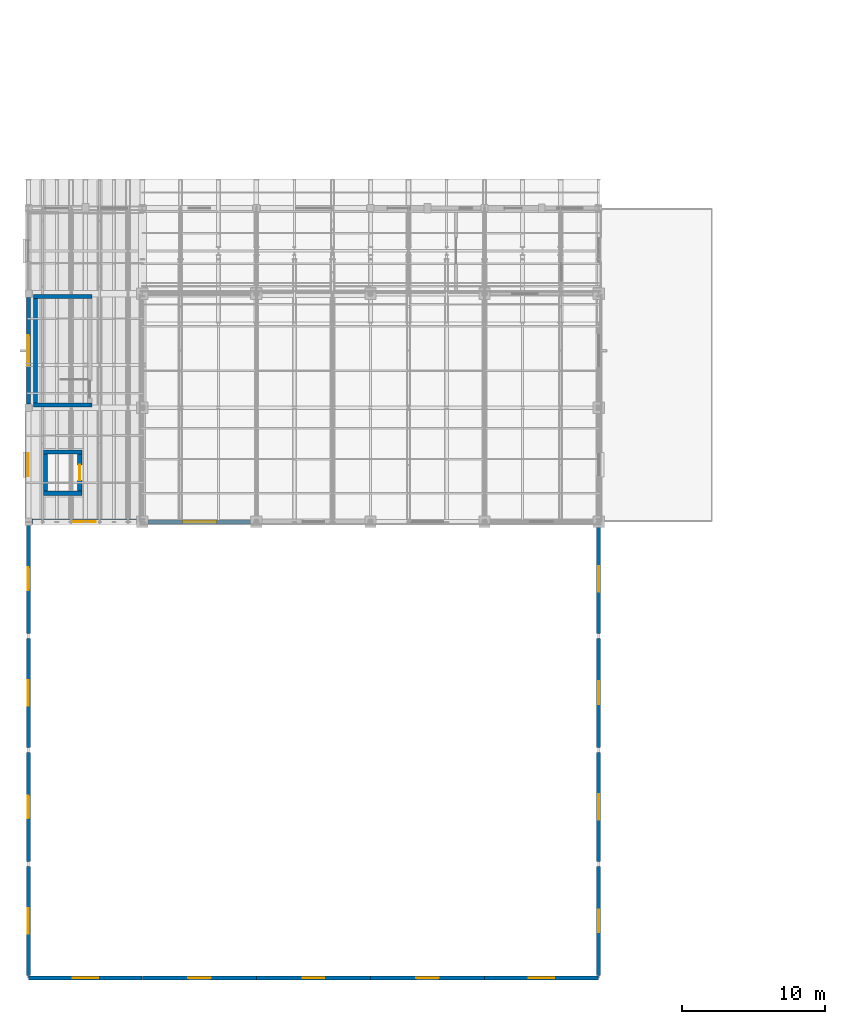
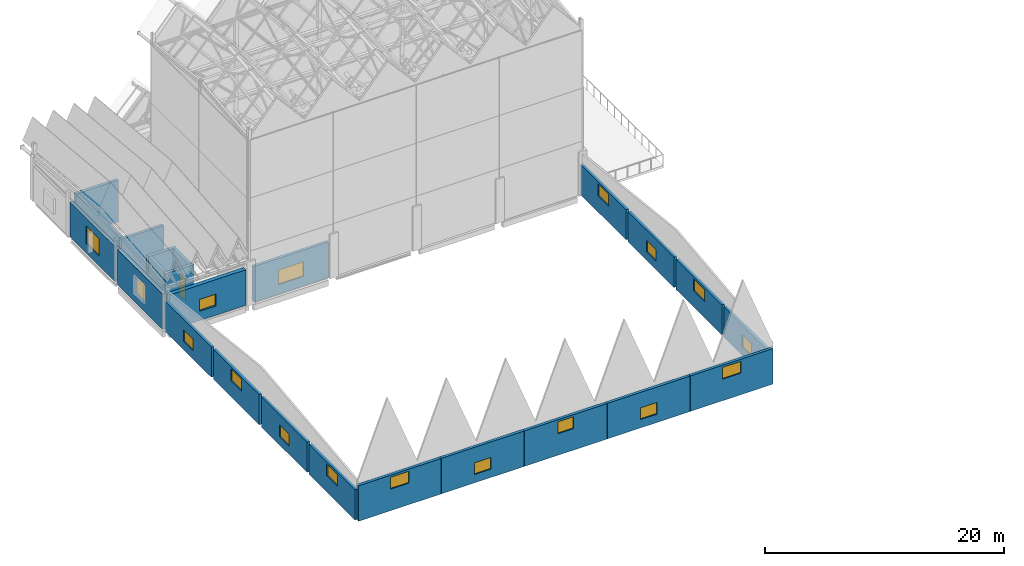
# One storey, part 30 of 48: 24 walls, 17 windows, 1 door, 18 openings.
"""IFC4 building model written with IfcOpenShell, lengths in metres."""

from ifc_helpers import new_model, si_unit, direction, frame, frame_2d, origin, place, context, subcontext, project, spatial, rectangle, extrude, material, layer, layer_set, type_object, element, fill, save


model = new_model("IFC4")

# Units and contexts
model_context = context("Model", 3, precision=1e-05, world=origin(), true_north=direction((0.0, 1.0)))
body_context = subcontext(model_context, "Body", "Model", "MODEL_VIEW")
ifc_project = project(units=[si_unit("LENGTHUNIT", "METRE"), si_unit("AREAUNIT", "SQUARE_METRE"), si_unit("VOLUMEUNIT", "CUBIC_METRE"), si_unit("PLANEANGLEUNIT", "RADIAN"), si_unit("MASSUNIT", "GRAM", prefix="KILO")], contexts=[model_context])

# Site, building, storey
site_placement = place(None, origin())
site = spatial("IfcSite", under=ifc_project, at=site_placement, CompositionType="ELEMENT")
building_placement = place(site_placement, origin())
building = spatial("IfcBuilding", under=site, at=building_placement, Name="Luwemba Playhouse", CompositionType="ELEMENT")
storey_placement = place(building_placement, frame((0.0, 0.0, 13.800048828125)))
storey = spatial("IfcBuildingStorey", under=building, at=storey_placement, Name="L03", CompositionType="ELEMENT", Elevation=13.800048828125)

# Wall, opening, window
ifc_material_1 = material(Name="Clay facing brick obra vista masonry", Category="masonry")
ifc_layer_1 = layer(ifc_material_1, 0.3798828125)
ifc_layer_set_1 = layer_set([ifc_layer_1], Name="Clay facing brick obra vista masonry")
wall_type_1 = type_object("IfcWallType", Name="WAL-BRK-380", PredefinedType="SOLIDWALL", material=ifc_layer_set_1)
wall_1_placement = place(storey_placement, frame((4.0, 68.25, 0.0), z_axis=(0.0, 0.0, 1.0), x_axis=(0.0, 1.0, 0.0)))
wall_1 = element("IfcWall", 1, at=wall_1_placement, inside=storey, type_object=wall_type_1, Name="L03 V2 exterior facade wall 0408", PredefinedType="SOLIDWALL", context=body_context, shape_type="SweptSolid", body=[
    extrude(rectangle(XDim=7.5, YDim=0.3798828125, at=frame_2d((3.75, 0.0))), origin(), (0.0, 0.0, 1.0), 3.5849609375),
])
opening_1_placement = place(wall_1_placement, frame((2.949951171875, 0.0, 0.949951171875)))
opening_1 = element("IfcOpeningElement", 2, at=opening_1_placement, cuts=wall_1, Name="Opening WN-03", PredefinedType="OPENING", context=body_context, shape_type="SweptSolid", body=[
    extrude(rectangle(XDim=1.60009765625, YDim=1.800048828125, at=frame_2d((0.800048828125, 0.89990234375))), frame((0.0, 0.199951171875, 0.0), z_axis=(0.0, -1.0, 0.0), x_axis=(1.0, 0.0, 0.0)), (0.0, 0.0, 1.0), 0.39990234375),
])
ifc_material_2 = material(Name="Solar-control double glazing in aluminium frame", Category="aluminium")
window_type_1 = type_object("IfcWindowType", Name="WIN-WN-03", PartitioningType="DOUBLE_PANEL_VERTICAL", PredefinedType="WINDOW", material=ifc_material_2)
window_1_placement = place(opening_1_placement, origin())
window_1 = element("IfcWindow", 3, at=window_1_placement, inside=storey, type_object=window_type_1, Name="L03 V2 scheduled window 0351", OverallHeight=1.800048828125, OverallWidth=1.60009765625, PartitioningType="DOUBLE_PANEL_VERTICAL", PredefinedType="WINDOW", context=body_context, shape_type="SweptSolid", body=[
    extrude(rectangle(XDim=1.60009765625, YDim=1.800048828125, at=frame_2d((0.800048828125, 0.89990234375))), frame((0.0, 0.030029296875, 0.0), z_axis=(0.0, -1.0, 0.0), x_axis=(1.0, 0.0, 0.0)), (0.0, 0.0, 1.0), 0.06005859375),
])
fill(opening_1, window_1)

wall_2_placement = place(storey_placement, frame((11.60009765625, 68.0, 0.0), z_axis=(0.0, 0.0, 1.0), x_axis=(-1.0, 0.0, 0.0)))
wall_2 = element("IfcWall", 4, at=wall_2_placement, inside=storey, type_object=wall_type_1, Name="L03 V2 exterior facade wall 0426", PredefinedType="SOLIDWALL", context=body_context, shape_type="SweptSolid", body=[
    extrude(rectangle(XDim=7.35009765625, YDim=0.3798828125, at=frame_2d((3.675048828125, 0.0))), origin(), (0.0, 0.0, 1.0), 3.625),
])
opening_2_placement = place(wall_2_placement, frame((2.875, 0.0, 0.949951171875)))
opening_2 = element("IfcOpeningElement", 5, at=opening_2_placement, cuts=wall_2, Name="Opening WN-15", PredefinedType="OPENING", context=body_context, shape_type="SweptSolid", body=[
    extrude(rectangle(XDim=1.60009765625, YDim=1.199951171875, at=frame_2d((0.800048828125, 0.60009765625))), frame((0.0, 0.199951171875, 0.0), z_axis=(0.0, -1.0, 0.0), x_axis=(1.0, 0.0, 0.0)), (0.0, 0.0, 1.0), 0.39990234375),
])
window_type_2 = type_object("IfcWindowType", Name="WIN-WN-15", PartitioningType="DOUBLE_PANEL_HORIZONTAL", PredefinedType="WINDOW", material=ifc_material_2)
window_2_placement = place(opening_2_placement, origin())
window_2 = element("IfcWindow", 6, at=window_2_placement, inside=storey, type_object=window_type_2, Name="L03 V2 scheduled window 0368", OverallHeight=1.199951171875, OverallWidth=1.60009765625, PartitioningType="DOUBLE_PANEL_HORIZONTAL", PredefinedType="WINDOW", context=body_context, shape_type="SweptSolid", body=[
    extrude(rectangle(XDim=1.60009765625, YDim=1.199951171875, at=frame_2d((0.800048828125, 0.60009765625))), frame((0.0, 0.030029296875, 0.0), z_axis=(0.0, -1.0, 0.0), x_axis=(1.0, 0.0, 0.0)), (0.0, 0.0, 1.0), 0.06005859375),
])
fill(opening_2, window_2)

# Walls
ifc_material_3 = material(Name="Concrete C40/50", Category="concrete")
ifc_layer_2 = layer(ifc_material_3, 0.300048828125)
ifc_layer_set_2 = layer_set([ifc_layer_2], Name="Concrete C40/50")
wall_type_2 = type_object("IfcWallType", Name="WAL-CORE-300", PredefinedType="SHEAR", material=ifc_layer_set_2)
for number, where, z_axis, x_axis, name in (
    (7, (4.35009765625, 76.18994140625, 0.0), (0.0, 0.0, 1.0), (1.0, 0.0, 0.0), "L03 ST-03 stair core wall S"),
    (8, (8.449951171875, 83.81005859375, 0.0), (0.0, 0.0, 1.0), (-1.0, 0.0, 0.0), "L03 ST-03 stair core wall N"),
):
    element("IfcWall", number, at=place(storey_placement, frame(where, z_axis=z_axis, x_axis=x_axis)), inside=storey, type_object=wall_type_2, Name=name, PredefinedType="SHEAR", context=body_context, shape_type="SweptSolid", body=[
        extrude(rectangle(XDim=4.099853515625, YDim=0.300048828125, at=frame_2d((2.0498046875, 0.0))), origin(), (0.0, 0.0, 1.0), 4.25),
    ])
wall_3_placement = place(storey_placement, frame((4.5, 76.340087890625, 0.0), z_axis=(0.0, 0.0, 1.0), x_axis=(0.0, 1.0, 0.0)))
element("IfcWall", 9, at=wall_3_placement, inside=storey, type_object=wall_type_2, Name="L03 ST-03 stair core wall W", PredefinedType="SHEAR", context=body_context, shape_type="SweptSolid", body=[
    extrude(rectangle(XDim=7.31982421875, YDim=0.300048828125, at=frame_2d((3.659912109375, 0.0))), origin(), (0.0, 0.0, 1.0), 4.25),
])
for number, where, z_axis, x_axis, name in (
    (10, (5.050048828125, 70.0, 0.0), (0.0, 0.0, 1.0), (1.0, 0.0, 0.0), "L03 Lift LF-P2 shaft wall S"),
    (11, (7.75, 72.89990234375, 0.0), (0.0, 0.0, 1.0), (-1.0, 0.0, 0.0), "L03 Lift LF-P2 shaft wall N"),
):
    element("IfcWall", number, at=place(storey_placement, frame(where, z_axis=z_axis, x_axis=x_axis)), inside=storey, type_object=wall_type_2, Name=name, PredefinedType="SHEAR", context=body_context, shape_type="SweptSolid", body=[
        extrude(rectangle(XDim=2.699951171875, YDim=0.300048828125, at=frame_2d((1.35009765625, 0.0))), origin(), (0.0, 0.0, 1.0), 4.25),
    ])
wall_4_placement = place(storey_placement, frame((5.199951171875, 70.14990234375, 0.0), z_axis=(0.0, 0.0, 1.0), x_axis=(0.0, 1.0, 0.0)))
element("IfcWall", 12, at=wall_4_placement, inside=storey, type_object=wall_type_2, Name="L03 Lift LF-P2 shaft wall W", PredefinedType="SHEAR", context=body_context, shape_type="SweptSolid", body=[
    extrude(rectangle(XDim=2.60009765625, YDim=0.300048828125, at=frame_2d((1.300048828125, 0.0))), origin(), (0.0, 0.0, 1.0), 4.25),
])

# Wall, opening, door
wall_5_placement = place(storey_placement, frame((7.60009765625, 72.75, 0.0), z_axis=(0.0, 0.0, 1.0), x_axis=(0.0, -1.0, 0.0)))
wall_5 = element("IfcWall", 13, at=wall_5_placement, inside=storey, type_object=wall_type_2, Name="L03 Lift LF-P2 shaft wall E", PredefinedType="SHEAR", context=body_context, shape_type="SweptSolid", body=[
    extrude(rectangle(XDim=2.60009765625, YDim=0.300048828125, at=frame_2d((1.300048828125, 0.0))), origin(), (0.0, 0.0, 1.0), 4.25),
])
opening_3_placement = place(wall_5_placement, frame((0.75, 0.0, 0.0)))
opening_3 = element("IfcOpeningElement", 14, at=opening_3_placement, cuts=wall_5, Name="Opening LD-01", PredefinedType="OPENING", context=body_context, shape_type="SweptSolid", body=[
    extrude(rectangle(XDim=1.10009765625, YDim=2.14990234375, at=frame_2d((0.550048828125, 1.074951171875))), frame((0.0, 0.159912109375, 0.0), z_axis=(0.0, -1.0, 0.0), x_axis=(1.0, 0.0, 0.0)), (0.0, 0.0, 1.0), 0.320068359375),
])
ifc_material_4 = material(Name="Stainless steel lift landing doors", Category="steel")
door_type = type_object("IfcDoorType", Name="DR-LIFT-110", OperationType="NOTDEFINED", PredefinedType="DOOR", material=ifc_material_4)
door_placement = place(opening_3_placement, origin())
door = element("IfcDoor", 15, at=door_placement, inside=storey, type_object=door_type, Name="L03 Lift LF-P2 landing door", OperationType="DOUBLE_DOOR_SLIDING", OverallHeight=2.14990234375, OverallWidth=1.10009765625, PredefinedType="DOOR", context=body_context, shape_type="SweptSolid", body=[
    extrude(rectangle(XDim=1.10009765625, YDim=2.14990234375, at=frame_2d((0.550048828125, 1.074951171875))), frame((0.0, 0.02490234375, 0.0), z_axis=(0.0, -1.0, 0.0), x_axis=(1.0, 0.0, 0.0)), (0.0, 0.0, 1.0), 0.050048828125),
])
fill(opening_3, door)

# Wall, opening, window
ifc_material_5 = material(Name="Structural timber GL24h infill", Category="wood")
ifc_layer_3 = layer(ifc_material_5, 0.280029296875)
ifc_layer_set_3 = layer_set([ifc_layer_3], Name="Structural timber GL24h infill")
wall_type_3 = type_object("IfcWallType", Name="WAL-TIM-280", PredefinedType="SOLIDWALL", material=ifc_layer_set_3)
wall_6_placement = place(storey_placement, frame((4.0, 76.25, 0.0), z_axis=(0.0, 0.0, 1.0), x_axis=(0.0, 1.0, 0.0)))
wall_6 = element("IfcWall", 16, at=wall_6_placement, inside=storey, type_object=wall_type_3, Name="L03 V2 exterior facade wall 0409", PredefinedType="SOLIDWALL", context=body_context, shape_type="SweptSolid", body=[
    extrude(rectangle(XDim=7.5, YDim=0.280029296875, at=frame_2d((3.75, 0.0))), origin(), (0.0, 0.0, 1.0), 3.5849609375),
])
opening_4_placement = place(wall_6_placement, frame((2.64990234375, 0.0, 0.949951171875)))
opening_4 = element("IfcOpeningElement", 17, at=opening_4_placement, cuts=wall_6, Name="Opening WN-06", PredefinedType="OPENING", context=body_context, shape_type="SweptSolid", body=[
    extrude(rectangle(XDim=2.199951171875, YDim=1.800048828125, at=frame_2d((1.10009765625, 0.89990234375))), frame((0.0, 0.14990234375, 0.0), z_axis=(0.0, -1.0, 0.0), x_axis=(1.0, 0.0, 0.0)), (0.0, 0.0, 1.0), 0.300048828125),
])
window_type_3 = type_object("IfcWindowType", Name="WIN-WN-06", PartitioningType="TRIPLE_PANEL_VERTICAL", PredefinedType="WINDOW", material=ifc_material_2)
window_3_placement = place(opening_4_placement, origin())
window_3 = element("IfcWindow", 18, at=window_3_placement, inside=storey, type_object=window_type_3, Name="L03 V2 scheduled window 0352", OverallHeight=1.800048828125, OverallWidth=2.199951171875, PartitioningType="TRIPLE_PANEL_VERTICAL", PredefinedType="WINDOW", context=body_context, shape_type="SweptSolid", body=[
    extrude(rectangle(XDim=2.199951171875, YDim=1.800048828125, at=frame_2d((1.10009765625, 0.89990234375))), frame((0.0, 0.030029296875, 0.0), z_axis=(0.0, -1.0, 0.0), x_axis=(1.0, 0.0, 0.0)), (0.0, 0.0, 1.0), 0.06005859375),
])
fill(opening_4, window_3)

wall_7_placement = place(storey_placement, frame((19.60009765625, 68.0, 0.0), z_axis=(0.0, 0.0, 1.0), x_axis=(-1.0, 0.0, 0.0)))
wall_7 = element("IfcWall", 19, at=wall_7_placement, inside=storey, type_object=wall_type_3, Name="L03 V2 exterior facade wall 0425", PredefinedType="SOLIDWALL", context=body_context, shape_type="SweptSolid", body=[
    extrude(rectangle(XDim=7.2001953125, YDim=0.280029296875, at=frame_2d((3.60009765625, 0.0))), origin(), (0.0, 0.0, 1.0), 3.625),
])
opening_5_placement = place(wall_7_placement, frame((2.39990234375, 0.0, 0.949951171875)))
opening_5 = element("IfcOpeningElement", 20, at=opening_5_placement, cuts=wall_7, Name="Opening WN-12", PredefinedType="OPENING", context=body_context, shape_type="SweptSolid", body=[
    extrude(rectangle(XDim=2.39990234375, YDim=1.5, at=frame_2d((1.199951171875, 0.75))), frame((0.0, 0.14990234375, 0.0), z_axis=(0.0, -1.0, 0.0), x_axis=(1.0, 0.0, 0.0)), (0.0, 0.0, 1.0), 0.300048828125),
])
window_type_4 = type_object("IfcWindowType", Name="WIN-WN-12", PartitioningType="TRIPLE_PANEL_VERTICAL", PredefinedType="WINDOW", material=ifc_material_2)
window_4_placement = place(opening_5_placement, origin())
window_4 = element("IfcWindow", 21, at=window_4_placement, inside=storey, type_object=window_type_4, Name="L03 V2 scheduled window 0367", OverallHeight=1.5, OverallWidth=2.39990234375, PartitioningType="TRIPLE_PANEL_VERTICAL", PredefinedType="WINDOW", context=body_context, shape_type="SweptSolid", body=[
    extrude(rectangle(XDim=2.39990234375, YDim=1.5, at=frame_2d((1.199951171875, 0.75))), frame((0.0, 0.030029296875, 0.0), z_axis=(0.0, -1.0, 0.0), x_axis=(1.0, 0.0, 0.0)), (0.0, 0.0, 1.0), 0.06005859375),
])
fill(opening_5, window_4)

wall_8_placement = place(storey_placement, frame((4.0, 36.175048828125, 0.0), z_axis=(0.0, 0.0, 1.0), x_axis=(0.0, 1.0, 0.0)))
wall_8 = element("IfcWall", 22, at=wall_8_placement, inside=storey, type_object=wall_type_3, Name="L03 V1 auditorium timber clerestory wall 0520", PredefinedType="SOLIDWALL", context=body_context, shape_type="SweptSolid", body=[
    extrude(rectangle(XDim=7.64990234375, YDim=0.280029296875, at=frame_2d((3.824951171875, 0.0))), origin(), (0.0, 0.0, 1.0), 3.079833984375),
])
opening_6_placement = place(wall_8_placement, frame((2.925048828125, 0.0, 1.659912109375)))
opening_6 = element("IfcOpeningElement", 23, at=opening_6_placement, cuts=wall_8, Name="Opening SKY-01", PredefinedType="OPENING", context=body_context, shape_type="SweptSolid", body=[
    extrude(rectangle(XDim=1.800048828125, YDim=1.199951171875, at=frame_2d((0.89990234375, 0.60009765625))), frame((0.0, 0.14990234375, 0.0), z_axis=(0.0, -1.0, 0.0), x_axis=(1.0, 0.0, 0.0)), (0.0, 0.0, 1.0), 0.300048828125),
])
ifc_material_6 = material(Name="Solar-control laminated skylight glazing", Category="glass")
window_type_5 = type_object("IfcWindowType", Name="WIN-SKY-01", PartitioningType="SINGLE_PANEL", PredefinedType="SKYLIGHT", material=ifc_material_6)
window_5_placement = place(opening_6_placement, origin())
window_5 = element("IfcWindow", 24, at=window_5_placement, inside=storey, type_object=window_type_5, Name="L03 clerestory roof skylight smoke vent 01", OverallHeight=1.199951171875, OverallWidth=1.800048828125, PartitioningType="SINGLE_PANEL", PredefinedType="SKYLIGHT", context=body_context, shape_type="SweptSolid", body=[
    extrude(rectangle(XDim=1.800048828125, YDim=1.199951171875, at=frame_2d((0.89990234375, 0.60009765625))), frame((0.0, 0.030029296875, 0.0), z_axis=(0.0, -1.0, 0.0), x_axis=(1.0, 0.0, 0.0)), (0.0, 0.0, 1.0), 0.06005859375),
])
fill(opening_6, window_5)

wall_9_placement = place(storey_placement, frame((4.0, 44.175048828125, 0.0), z_axis=(0.0, 0.0, 1.0), x_axis=(0.0, 1.0, 0.0)))
wall_9 = element("IfcWall", 25, at=wall_9_placement, inside=storey, type_object=wall_type_3, Name="L03 V1 auditorium timber clerestory wall 0521", PredefinedType="SOLIDWALL", context=body_context, shape_type="SweptSolid", body=[
    extrude(rectangle(XDim=7.64990234375, YDim=0.280029296875, at=frame_2d((3.824951171875, 0.0))), origin(), (0.0, 0.0, 1.0), 3.079833984375),
])
opening_7_placement = place(wall_9_placement, frame((3.02490234375, 0.0, 0.85009765625)))
opening_7 = element("IfcOpeningElement", 26, at=opening_7_placement, cuts=wall_9, Name="Opening WN-15", PredefinedType="OPENING", context=body_context, shape_type="SweptSolid", body=[
    extrude(rectangle(XDim=1.60009765625, YDim=1.199951171875, at=frame_2d((0.800048828125, 0.60009765625))), frame((0.0, 0.14990234375, 0.0), z_axis=(0.0, -1.0, 0.0), x_axis=(1.0, 0.0, 0.0)), (0.0, 0.0, 1.0), 0.300048828125),
])
window_6_placement = place(opening_7_placement, origin())
window_6 = element("IfcWindow", 27, at=window_6_placement, inside=storey, type_object=window_type_2, Name="L03 V1 auditorium clerestory window 0458", OverallHeight=1.199951171875, OverallWidth=1.60009765625, PartitioningType="DOUBLE_PANEL_HORIZONTAL", PredefinedType="WINDOW", context=body_context, shape_type="SweptSolid", body=[
    extrude(rectangle(XDim=1.60009765625, YDim=1.199951171875, at=frame_2d((0.800048828125, 0.60009765625))), frame((0.0, 0.030029296875, 0.0), z_axis=(0.0, -1.0, 0.0), x_axis=(1.0, 0.0, 0.0)), (0.0, 0.0, 1.0), 0.06005859375),
])
fill(opening_7, window_6)

wall_10_placement = place(storey_placement, frame((4.0, 52.175048828125, 0.0), z_axis=(0.0, 0.0, 1.0), x_axis=(0.0, 1.0, 0.0)))
wall_10 = element("IfcWall", 28, at=wall_10_placement, inside=storey, type_object=wall_type_3, Name="L03 V1 auditorium timber clerestory wall 0522", PredefinedType="SOLIDWALL", context=body_context, shape_type="SweptSolid", body=[
    extrude(rectangle(XDim=7.64990234375, YDim=0.280029296875, at=frame_2d((3.824951171875, 0.0))), origin(), (0.0, 0.0, 1.0), 3.079833984375),
])
opening_8_placement = place(wall_10_placement, frame((2.925048828125, 0.0, 1.659912109375)))
opening_8 = element("IfcOpeningElement", 29, at=opening_8_placement, cuts=wall_10, Name="Opening SKY-02", PredefinedType="OPENING", context=body_context, shape_type="SweptSolid", body=[
    extrude(rectangle(XDim=1.800048828125, YDim=1.199951171875, at=frame_2d((0.89990234375, 0.60009765625))), frame((0.0, 0.14990234375, 0.0), z_axis=(0.0, -1.0, 0.0), x_axis=(1.0, 0.0, 0.0)), (0.0, 0.0, 1.0), 0.300048828125),
])
window_type_6 = type_object("IfcWindowType", Name="WIN-SKY-02", PartitioningType="SINGLE_PANEL", PredefinedType="SKYLIGHT", material=ifc_material_6)
window_7_placement = place(opening_8_placement, origin())
window_7 = element("IfcWindow", 30, at=window_7_placement, inside=storey, type_object=window_type_6, Name="L03 clerestory roof skylight smoke vent 02", OverallHeight=1.199951171875, OverallWidth=1.800048828125, PartitioningType="SINGLE_PANEL", PredefinedType="SKYLIGHT", context=body_context, shape_type="SweptSolid", body=[
    extrude(rectangle(XDim=1.800048828125, YDim=1.199951171875, at=frame_2d((0.89990234375, 0.60009765625))), frame((0.0, 0.030029296875, 0.0), z_axis=(0.0, -1.0, 0.0), x_axis=(1.0, 0.0, 0.0)), (0.0, 0.0, 1.0), 0.06005859375),
])
fill(opening_8, window_7)

wall_11_placement = place(storey_placement, frame((4.0, 60.175048828125, 0.0), z_axis=(0.0, 0.0, 1.0), x_axis=(0.0, 1.0, 0.0)))
wall_11 = element("IfcWall", 31, at=wall_11_placement, inside=storey, type_object=wall_type_3, Name="L03 V1 auditorium timber clerestory wall 0523", PredefinedType="SOLIDWALL", context=body_context, shape_type="SweptSolid", body=[
    extrude(rectangle(XDim=7.64990234375, YDim=0.280029296875, at=frame_2d((3.824951171875, 0.0))), origin(), (0.0, 0.0, 1.0), 3.079833984375),
])
opening_9_placement = place(wall_11_placement, frame((3.02490234375, 0.0, 0.85009765625)))
opening_9 = element("IfcOpeningElement", 32, at=opening_9_placement, cuts=wall_11, Name="Opening WN-15", PredefinedType="OPENING", context=body_context, shape_type="SweptSolid", body=[
    extrude(rectangle(XDim=1.60009765625, YDim=1.199951171875, at=frame_2d((0.800048828125, 0.60009765625))), frame((0.0, 0.14990234375, 0.0), z_axis=(0.0, -1.0, 0.0), x_axis=(1.0, 0.0, 0.0)), (0.0, 0.0, 1.0), 0.300048828125),
])
window_8_placement = place(opening_9_placement, origin())
window_8 = element("IfcWindow", 33, at=window_8_placement, inside=storey, type_object=window_type_2, Name="L03 V1 auditorium clerestory window 0459", OverallHeight=1.199951171875, OverallWidth=1.60009765625, PartitioningType="DOUBLE_PANEL_HORIZONTAL", PredefinedType="WINDOW", context=body_context, shape_type="SweptSolid", body=[
    extrude(rectangle(XDim=1.60009765625, YDim=1.199951171875, at=frame_2d((0.800048828125, 0.60009765625))), frame((0.0, 0.030029296875, 0.0), z_axis=(0.0, -1.0, 0.0), x_axis=(1.0, 0.0, 0.0)), (0.0, 0.0, 1.0), 0.06005859375),
])
fill(opening_9, window_8)

wall_12_placement = place(storey_placement, frame((43.989990234375, 36.0, 0.0), z_axis=(0.0, 0.0, 1.0), x_axis=(-1.0, 0.0, 0.0)))
wall_12 = element("IfcWall", 34, at=wall_12_placement, inside=storey, type_object=wall_type_3, Name="L03 V1 auditorium timber clerestory wall 0524", PredefinedType="SOLIDWALL", context=body_context, shape_type="SweptSolid", body=[
    extrude(rectangle(XDim=7.97998046875, YDim=0.280029296875, at=frame_2d((3.989990234375, 0.0))), origin(), (0.0, 0.0, 1.0), 3.619873046875),
])
opening_10_placement = place(wall_12_placement, frame((3.090087890625, 0.0, 2.199951171875)))
opening_10 = element("IfcOpeningElement", 35, at=opening_10_placement, cuts=wall_12, Name="Opening SKY-03", PredefinedType="OPENING", context=body_context, shape_type="SweptSolid", body=[
    extrude(rectangle(XDim=1.800048828125, YDim=1.199951171875, at=frame_2d((0.89990234375, 0.60009765625))), frame((0.0, 0.14990234375, 0.0), z_axis=(0.0, -1.0, 0.0), x_axis=(1.0, 0.0, 0.0)), (0.0, 0.0, 1.0), 0.300048828125),
])
window_type_7 = type_object("IfcWindowType", Name="WIN-SKY-03", PartitioningType="SINGLE_PANEL", PredefinedType="SKYLIGHT", material=ifc_material_6)
window_9_placement = place(opening_10_placement, origin())
window_9 = element("IfcWindow", 36, at=window_9_placement, inside=storey, type_object=window_type_7, Name="L03 clerestory roof skylight smoke vent 03", OverallHeight=1.199951171875, OverallWidth=1.800048828125, PartitioningType="SINGLE_PANEL", PredefinedType="SKYLIGHT", context=body_context, shape_type="SweptSolid", body=[
    extrude(rectangle(XDim=1.800048828125, YDim=1.199951171875, at=frame_2d((0.89990234375, 0.60009765625))), frame((0.0, 0.030029296875, 0.0), z_axis=(0.0, -1.0, 0.0), x_axis=(1.0, 0.0, 0.0)), (0.0, 0.0, 1.0), 0.06005859375),
])
fill(opening_10, window_9)

wall_13_placement = place(storey_placement, frame((35.989990234375, 36.0, 0.0), z_axis=(0.0, 0.0, 1.0), x_axis=(-1.0, 0.0, 0.0)))
wall_13 = element("IfcWall", 37, at=wall_13_placement, inside=storey, type_object=wall_type_3, Name="L03 V1 auditorium timber clerestory wall 0525", PredefinedType="SOLIDWALL", context=body_context, shape_type="SweptSolid", body=[
    extrude(rectangle(XDim=7.97998046875, YDim=0.280029296875, at=frame_2d((3.989990234375, 0.0))), origin(), (0.0, 0.0, 1.0), 3.619873046875),
])
opening_11_placement = place(wall_13_placement, frame((3.18994140625, 0.0, 0.85009765625)))
opening_11 = element("IfcOpeningElement", 38, at=opening_11_placement, cuts=wall_13, Name="Opening WN-15", PredefinedType="OPENING", context=body_context, shape_type="SweptSolid", body=[
    extrude(rectangle(XDim=1.60009765625, YDim=1.199951171875, at=frame_2d((0.800048828125, 0.60009765625))), frame((0.0, 0.14990234375, 0.0), z_axis=(0.0, -1.0, 0.0), x_axis=(1.0, 0.0, 0.0)), (0.0, 0.0, 1.0), 0.300048828125),
])
window_10_placement = place(opening_11_placement, origin())
window_10 = element("IfcWindow", 39, at=window_10_placement, inside=storey, type_object=window_type_2, Name="L03 V1 auditorium clerestory window 0460", OverallHeight=1.199951171875, OverallWidth=1.60009765625, PartitioningType="DOUBLE_PANEL_HORIZONTAL", PredefinedType="WINDOW", context=body_context, shape_type="SweptSolid", body=[
    extrude(rectangle(XDim=1.60009765625, YDim=1.199951171875, at=frame_2d((0.800048828125, 0.60009765625))), frame((0.0, 0.030029296875, 0.0), z_axis=(0.0, -1.0, 0.0), x_axis=(1.0, 0.0, 0.0)), (0.0, 0.0, 1.0), 0.06005859375),
])
fill(opening_11, window_10)

wall_14_placement = place(storey_placement, frame((27.989990234375, 36.0, 0.0), z_axis=(0.0, 0.0, 1.0), x_axis=(-1.0, 0.0, 0.0)))
wall_14 = element("IfcWall", 40, at=wall_14_placement, inside=storey, type_object=wall_type_3, Name="L03 V1 auditorium timber clerestory wall 0526", PredefinedType="SOLIDWALL", context=body_context, shape_type="SweptSolid", body=[
    extrude(rectangle(XDim=7.97998046875, YDim=0.280029296875, at=frame_2d((3.989990234375, 0.0))), origin(), (0.0, 0.0, 1.0), 3.619873046875),
])
opening_12_placement = place(wall_14_placement, frame((3.239990234375, 0.0, 2.199951171875)))
opening_12 = element("IfcOpeningElement", 41, at=opening_12_placement, cuts=wall_14, Name="Opening SKY-04", PredefinedType="OPENING", context=body_context, shape_type="SweptSolid", body=[
    extrude(rectangle(XDim=1.5, YDim=1.199951171875, at=frame_2d((0.75, 0.60009765625))), frame((0.0, 0.14990234375, 0.0), z_axis=(0.0, -1.0, 0.0), x_axis=(1.0, 0.0, 0.0)), (0.0, 0.0, 1.0), 0.300048828125),
])
window_type_8 = type_object("IfcWindowType", Name="WIN-SKY-04", PartitioningType="SINGLE_PANEL", PredefinedType="SKYLIGHT", material=ifc_material_6)
window_11_placement = place(opening_12_placement, origin())
window_11 = element("IfcWindow", 42, at=window_11_placement, inside=storey, type_object=window_type_8, Name="L03 clerestory roof skylight smoke vent 04", OverallHeight=1.199951171875, OverallWidth=1.5, PartitioningType="SINGLE_PANEL", PredefinedType="SKYLIGHT", context=body_context, shape_type="SweptSolid", body=[
    extrude(rectangle(XDim=1.5, YDim=1.199951171875, at=frame_2d((0.75, 0.60009765625))), frame((0.0, 0.030029296875, 0.0), z_axis=(0.0, -1.0, 0.0), x_axis=(1.0, 0.0, 0.0)), (0.0, 0.0, 1.0), 0.06005859375),
])
fill(opening_12, window_11)

wall_15_placement = place(storey_placement, frame((19.989990234375, 36.0, 0.0), z_axis=(0.0, 0.0, 1.0), x_axis=(-1.0, 0.0, 0.0)))
wall_15 = element("IfcWall", 43, at=wall_15_placement, inside=storey, type_object=wall_type_3, Name="L03 V1 auditorium timber clerestory wall 0527", PredefinedType="SOLIDWALL", context=body_context, shape_type="SweptSolid", body=[
    extrude(rectangle(XDim=7.97998046875, YDim=0.280029296875, at=frame_2d((3.989990234375, 0.0))), origin(), (0.0, 0.0, 1.0), 3.619873046875),
])
opening_13_placement = place(wall_15_placement, frame((3.18994140625, 0.0, 0.85009765625)))
opening_13 = element("IfcOpeningElement", 44, at=opening_13_placement, cuts=wall_15, Name="Opening WN-15", PredefinedType="OPENING", context=body_context, shape_type="SweptSolid", body=[
    extrude(rectangle(XDim=1.60009765625, YDim=1.199951171875, at=frame_2d((0.800048828125, 0.60009765625))), frame((0.0, 0.14990234375, 0.0), z_axis=(0.0, -1.0, 0.0), x_axis=(1.0, 0.0, 0.0)), (0.0, 0.0, 1.0), 0.300048828125),
])
window_12_placement = place(opening_13_placement, origin())
window_12 = element("IfcWindow", 45, at=window_12_placement, inside=storey, type_object=window_type_2, Name="L03 V1 auditorium clerestory window 0461", OverallHeight=1.199951171875, OverallWidth=1.60009765625, PartitioningType="DOUBLE_PANEL_HORIZONTAL", PredefinedType="WINDOW", context=body_context, shape_type="SweptSolid", body=[
    extrude(rectangle(XDim=1.60009765625, YDim=1.199951171875, at=frame_2d((0.800048828125, 0.60009765625))), frame((0.0, 0.030029296875, 0.0), z_axis=(0.0, -1.0, 0.0), x_axis=(1.0, 0.0, 0.0)), (0.0, 0.0, 1.0), 0.06005859375),
])
fill(opening_13, window_12)

wall_16_placement = place(storey_placement, frame((11.989990234375, 36.0, 0.0), z_axis=(0.0, 0.0, 1.0), x_axis=(-1.0, 0.0, 0.0)))
wall_16 = element("IfcWall", 46, at=wall_16_placement, inside=storey, type_object=wall_type_3, Name="L03 V1 auditorium timber clerestory wall 0528", PredefinedType="SOLIDWALL", context=body_context, shape_type="SweptSolid", body=[
    extrude(rectangle(XDim=7.97998046875, YDim=0.280029296875, at=frame_2d((3.989990234375, 0.0))), origin(), (0.0, 0.0, 1.0), 3.619873046875),
])
opening_14_placement = place(wall_16_placement, frame((3.090087890625, 0.0, 2.199951171875)))
opening_14 = element("IfcOpeningElement", 47, at=opening_14_placement, cuts=wall_16, Name="Opening SKY-01", PredefinedType="OPENING", context=body_context, shape_type="SweptSolid", body=[
    extrude(rectangle(XDim=1.800048828125, YDim=1.199951171875, at=frame_2d((0.89990234375, 0.60009765625))), frame((0.0, 0.14990234375, 0.0), z_axis=(0.0, -1.0, 0.0), x_axis=(1.0, 0.0, 0.0)), (0.0, 0.0, 1.0), 0.300048828125),
])
window_13_placement = place(opening_14_placement, origin())
window_13 = element("IfcWindow", 48, at=window_13_placement, inside=storey, type_object=window_type_5, Name="L03 clerestory roof skylight smoke vent 05", OverallHeight=1.199951171875, OverallWidth=1.800048828125, PartitioningType="SINGLE_PANEL", PredefinedType="SKYLIGHT", context=body_context, shape_type="SweptSolid", body=[
    extrude(rectangle(XDim=1.800048828125, YDim=1.199951171875, at=frame_2d((0.89990234375, 0.60009765625))), frame((0.0, 0.030029296875, 0.0), z_axis=(0.0, -1.0, 0.0), x_axis=(1.0, 0.0, 0.0)), (0.0, 0.0, 1.0), 0.06005859375),
])
fill(opening_14, window_13)

wall_17_placement = place(storey_placement, frame((44.0, 67.824951171875, 0.0), z_axis=(0.0, 0.0, 1.0), x_axis=(0.0, -1.0, 0.0)))
wall_17 = element("IfcWall", 49, at=wall_17_placement, inside=storey, type_object=wall_type_3, Name="L03 V1 auditorium timber clerestory wall 0529", PredefinedType="SOLIDWALL", context=body_context, shape_type="SweptSolid", body=[
    extrude(rectangle(XDim=7.64990234375, YDim=0.280029296875, at=frame_2d((3.824951171875, 0.0))), origin(), (0.0, 0.0, 1.0), 3.079833984375),
])
opening_15_placement = place(wall_17_placement, frame((2.925048828125, 0.0, 1.659912109375)))
opening_15 = element("IfcOpeningElement", 50, at=opening_15_placement, cuts=wall_17, Name="Opening SKY-02", PredefinedType="OPENING", context=body_context, shape_type="SweptSolid", body=[
    extrude(rectangle(XDim=1.800048828125, YDim=1.199951171875, at=frame_2d((0.89990234375, 0.60009765625))), frame((0.0, 0.14990234375, 0.0), z_axis=(0.0, -1.0, 0.0), x_axis=(1.0, 0.0, 0.0)), (0.0, 0.0, 1.0), 0.300048828125),
])
window_14_placement = place(opening_15_placement, origin())
window_14 = element("IfcWindow", 51, at=window_14_placement, inside=storey, type_object=window_type_6, Name="L03 clerestory roof skylight smoke vent 06", OverallHeight=1.199951171875, OverallWidth=1.800048828125, PartitioningType="SINGLE_PANEL", PredefinedType="SKYLIGHT", context=body_context, shape_type="SweptSolid", body=[
    extrude(rectangle(XDim=1.800048828125, YDim=1.199951171875, at=frame_2d((0.89990234375, 0.60009765625))), frame((0.0, 0.030029296875, 0.0), z_axis=(0.0, -1.0, 0.0), x_axis=(1.0, 0.0, 0.0)), (0.0, 0.0, 1.0), 0.06005859375),
])
fill(opening_15, window_14)

wall_18_placement = place(storey_placement, frame((44.0, 59.824951171875, 0.0), z_axis=(0.0, 0.0, 1.0), x_axis=(0.0, -1.0, 0.0)))
wall_18 = element("IfcWall", 52, at=wall_18_placement, inside=storey, type_object=wall_type_3, Name="L03 V1 auditorium timber clerestory wall 0530", PredefinedType="SOLIDWALL", context=body_context, shape_type="SweptSolid", body=[
    extrude(rectangle(XDim=7.64990234375, YDim=0.280029296875, at=frame_2d((3.824951171875, 0.0))), origin(), (0.0, 0.0, 1.0), 3.079833984375),
])
opening_16_placement = place(wall_18_placement, frame((3.02490234375, 0.0, 0.85009765625)))
opening_16 = element("IfcOpeningElement", 53, at=opening_16_placement, cuts=wall_18, Name="Opening WN-15", PredefinedType="OPENING", context=body_context, shape_type="SweptSolid", body=[
    extrude(rectangle(XDim=1.60009765625, YDim=1.199951171875, at=frame_2d((0.800048828125, 0.60009765625))), frame((0.0, 0.14990234375, 0.0), z_axis=(0.0, -1.0, 0.0), x_axis=(1.0, 0.0, 0.0)), (0.0, 0.0, 1.0), 0.300048828125),
])
window_15_placement = place(opening_16_placement, origin())
window_15 = element("IfcWindow", 54, at=window_15_placement, inside=storey, type_object=window_type_2, Name="L03 V1 auditorium clerestory window 0462", OverallHeight=1.199951171875, OverallWidth=1.60009765625, PartitioningType="DOUBLE_PANEL_HORIZONTAL", PredefinedType="WINDOW", context=body_context, shape_type="SweptSolid", body=[
    extrude(rectangle(XDim=1.60009765625, YDim=1.199951171875, at=frame_2d((0.800048828125, 0.60009765625))), frame((0.0, 0.030029296875, 0.0), z_axis=(0.0, -1.0, 0.0), x_axis=(1.0, 0.0, 0.0)), (0.0, 0.0, 1.0), 0.06005859375),
])
fill(opening_16, window_15)

wall_19_placement = place(storey_placement, frame((44.0, 51.824951171875, 0.0), z_axis=(0.0, 0.0, 1.0), x_axis=(0.0, -1.0, 0.0)))
wall_19 = element("IfcWall", 55, at=wall_19_placement, inside=storey, type_object=wall_type_3, Name="L03 V1 auditorium timber clerestory wall 0531", PredefinedType="SOLIDWALL", context=body_context, shape_type="SweptSolid", body=[
    extrude(rectangle(XDim=7.64990234375, YDim=0.280029296875, at=frame_2d((3.824951171875, 0.0))), origin(), (0.0, 0.0, 1.0), 3.079833984375),
])
opening_17_placement = place(wall_19_placement, frame((2.925048828125, 0.0, 1.659912109375)))
opening_17 = element("IfcOpeningElement", 56, at=opening_17_placement, cuts=wall_19, Name="Opening SKY-03", PredefinedType="OPENING", context=body_context, shape_type="SweptSolid", body=[
    extrude(rectangle(XDim=1.800048828125, YDim=1.199951171875, at=frame_2d((0.89990234375, 0.60009765625))), frame((0.0, 0.14990234375, 0.0), z_axis=(0.0, -1.0, 0.0), x_axis=(1.0, 0.0, 0.0)), (0.0, 0.0, 1.0), 0.300048828125),
])
window_16_placement = place(opening_17_placement, origin())
window_16 = element("IfcWindow", 57, at=window_16_placement, inside=storey, type_object=window_type_7, Name="L03 clerestory roof skylight smoke vent 07", OverallHeight=1.199951171875, OverallWidth=1.800048828125, PartitioningType="SINGLE_PANEL", PredefinedType="SKYLIGHT", context=body_context, shape_type="SweptSolid", body=[
    extrude(rectangle(XDim=1.800048828125, YDim=1.199951171875, at=frame_2d((0.89990234375, 0.60009765625))), frame((0.0, 0.030029296875, 0.0), z_axis=(0.0, -1.0, 0.0), x_axis=(1.0, 0.0, 0.0)), (0.0, 0.0, 1.0), 0.06005859375),
])
fill(opening_17, window_16)

wall_20_placement = place(storey_placement, frame((44.0, 43.824951171875, 0.0), z_axis=(0.0, 0.0, 1.0), x_axis=(0.0, -1.0, 0.0)))
wall_20 = element("IfcWall", 58, at=wall_20_placement, inside=storey, type_object=wall_type_3, Name="L03 V1 auditorium timber clerestory wall 0532", PredefinedType="SOLIDWALL", context=body_context, shape_type="SweptSolid", body=[
    extrude(rectangle(XDim=7.64990234375, YDim=0.280029296875, at=frame_2d((3.824951171875, 0.0))), origin(), (0.0, 0.0, 1.0), 3.079833984375),
])
opening_18_placement = place(wall_20_placement, frame((3.02490234375, 0.0, 0.85009765625)))
opening_18 = element("IfcOpeningElement", 59, at=opening_18_placement, cuts=wall_20, Name="Opening WN-15", PredefinedType="OPENING", context=body_context, shape_type="SweptSolid", body=[
    extrude(rectangle(XDim=1.60009765625, YDim=1.199951171875, at=frame_2d((0.800048828125, 0.60009765625))), frame((0.0, 0.14990234375, 0.0), z_axis=(0.0, -1.0, 0.0), x_axis=(1.0, 0.0, 0.0)), (0.0, 0.0, 1.0), 0.300048828125),
])
window_17_placement = place(opening_18_placement, origin())
window_17 = element("IfcWindow", 60, at=window_17_placement, inside=storey, type_object=window_type_2, Name="L03 V1 auditorium clerestory window 0463", OverallHeight=1.199951171875, OverallWidth=1.60009765625, PartitioningType="DOUBLE_PANEL_HORIZONTAL", PredefinedType="WINDOW", context=body_context, shape_type="SweptSolid", body=[
    extrude(rectangle(XDim=1.60009765625, YDim=1.199951171875, at=frame_2d((0.800048828125, 0.60009765625))), frame((0.0, 0.030029296875, 0.0), z_axis=(0.0, -1.0, 0.0), x_axis=(1.0, 0.0, 0.0)), (0.0, 0.0, 1.0), 0.06005859375),
])
fill(opening_18, window_17)

save(model, "model.ifc")
